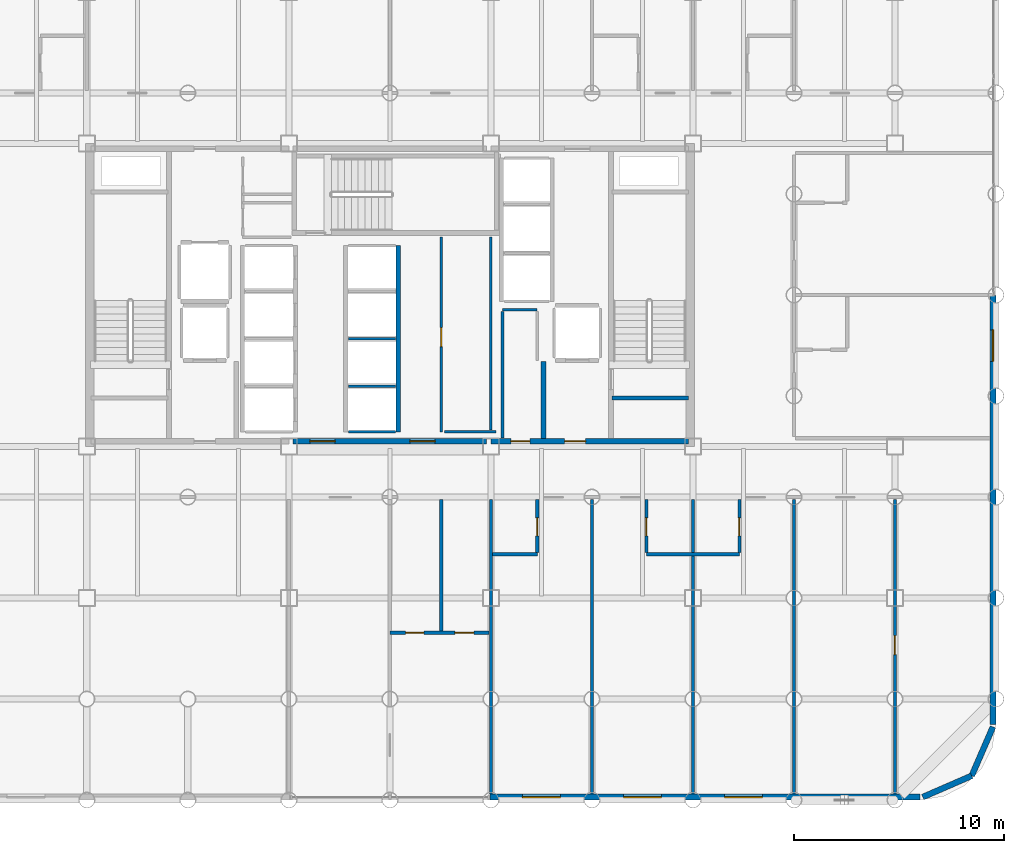
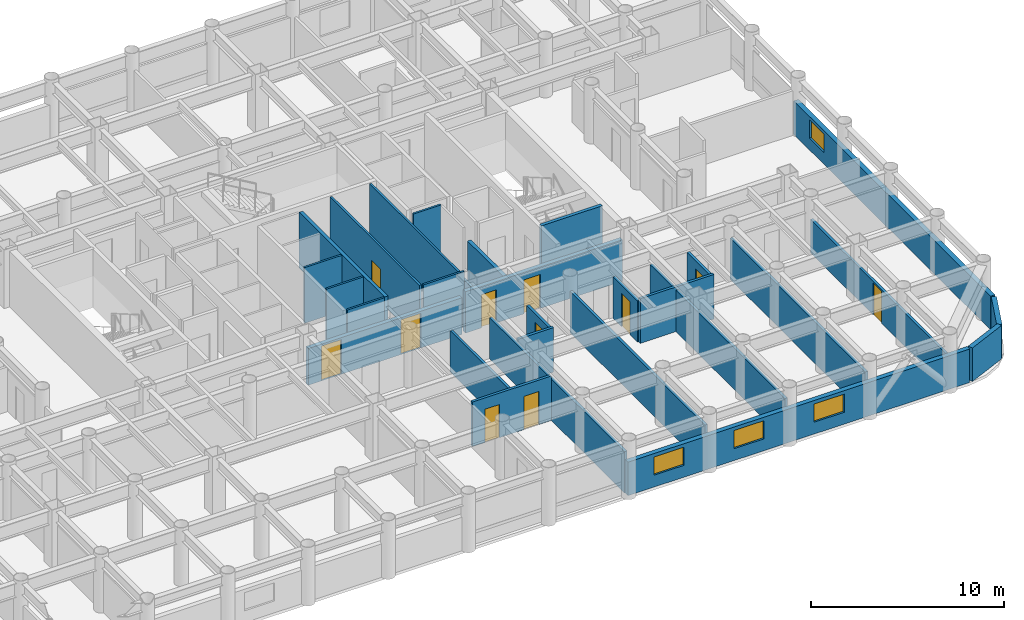
# One storey, part 17 of 21: 29 walls, 11 doors, 4 windows, 15 openings.
"""IFC4 building model written with IfcOpenShell, lengths in metres."""

from ifc_helpers import new_model, si_unit, direction, frame, frame_2d, origin, place, context, subcontext, project, spatial, rectangle, extrude, material, layer, layer_set, type_object, element, fill, save


model = new_model("IFC4")

# Units and contexts
model_context = context("Model", 3, precision=1e-05, world=origin(), true_north=direction((0.0, 1.0)))
body_context = subcontext(model_context, "Body", "Model", "MODEL_VIEW")
ifc_project = project(units=[si_unit("LENGTHUNIT", "METRE"), si_unit("AREAUNIT", "SQUARE_METRE"), si_unit("VOLUMEUNIT", "CUBIC_METRE"), si_unit("PLANEANGLEUNIT", "RADIAN"), si_unit("MASSUNIT", "GRAM", prefix="KILO")], contexts=[model_context])

# Site, building, storey
site_placement = place(None, origin())
site = spatial("IfcSite", under=ifc_project, at=site_placement, CompositionType="ELEMENT")
building_placement = place(site_placement, origin())
building = spatial("IfcBuilding", under=site, at=building_placement, Name="Kallvorn Hotel Tower", CompositionType="ELEMENT")
storey_placement = place(building_placement, frame((0.0, 0.0, 41.10009765625)))
storey = spatial("IfcBuildingStorey", under=building, at=storey_placement, Name="L08", CompositionType="ELEMENT", Elevation=41.10009765625)

# Wall, openings, doors
ifc_material_1 = material(Name="Fire-rated double-layer acoustic gypsum drywall EI 60")
ifc_layer_1 = layer(ifc_material_1, 0.159912109375)
ifc_layer_set_1 = layer_set([ifc_layer_1], Name="WL_DEMISE_160")
wall_type_1 = type_object("IfcWallType", Name="WL_DEMISE_160", PredefinedType="PARTITIONING", material=ifc_layer_set_1)
wall_1_placement = place(storey_placement, frame((0.0, -16.050048828125, 0.0), z_axis=(0.0, 0.0, 1.0), x_axis=(1.0, 0.0, 0.0)))
wall_1 = element("IfcWall", 1, at=wall_1_placement, inside=storey, type_object=wall_type_1, Name="L08 Suite 803 Executive Bedroom Partition", PredefinedType="PARTITIONING", context=body_context, shape_type="SweptSolid", body=[
    extrude(rectangle(XDim=4.719970703125, YDim=0.159912109375, at=frame_2d((2.35986328125, 0.0))), origin(), (0.0, 0.0, 1.0), 2.81982421875),
])
opening_1_placement = place(wall_1_placement, frame((0.75, 0.0, 0.0)))
opening_1 = element("IfcOpeningElement", 2, at=opening_1_placement, cuts=wall_1, Name="Opening BD-I", PredefinedType="OPENING", context=body_context, shape_type="SweptSolid", body=[
    extrude(rectangle(XDim=0.860107421875, YDim=2.10009765625, at=frame_2d((0.43017578125, 1.050048828125))), frame((0.0, 0.094970703125, 0.0), z_axis=(0.0, -1.0, 0.0), x_axis=(1.0, 0.0, 0.0)), (0.0, 0.0, 1.0), 0.18994140625),
])
opening_2_placement = place(wall_1_placement, frame((3.090087890625, 0.0, 0.0)))
opening_2 = element("IfcOpeningElement", 3, at=opening_2_placement, cuts=wall_1, Name="Opening SVD1", PredefinedType="OPENING", context=body_context, shape_type="SweptSolid", body=[
    extrude(rectangle(XDim=0.89990234375, YDim=2.10009765625, at=frame_2d((0.449951171875, 1.050048828125))), frame((0.0, 0.094970703125, 0.0), z_axis=(0.0, -1.0, 0.0), x_axis=(1.0, 0.0, 0.0)), (0.0, 0.0, 1.0), 0.18994140625),
])
ifc_material_2 = material(Name="Solid-core walnut veneer fire-rated timber door leaf", Category="wood")
door_type_1 = type_object("IfcDoorType", Name="DR_BATH_860x2100", OperationType="NOTDEFINED", PredefinedType="DOOR", material=ifc_material_2)
door_1_placement = place(opening_1_placement, origin())
door_1 = element("IfcDoor", 4, at=door_1_placement, inside=storey, type_object=door_type_1, Name="L08 Suite 803 En-Suite Bathroom Door", OperationType="SINGLE_SWING_LEFT", OverallHeight=2.10009765625, OverallWidth=0.860107421875, PredefinedType="DOOR", context=body_context, shape_type="SweptSolid", body=[
    extrude(rectangle(XDim=0.860107421875, YDim=2.10009765625, at=frame_2d((0.43017578125, 1.050048828125))), frame((0.0, 0.02490234375, 0.0), z_axis=(0.0, -1.0, 0.0), x_axis=(1.0, 0.0, 0.0)), (0.0, 0.0, 1.0), 0.050048828125),
])
fill(opening_1, door_1)
ifc_material_3 = material(Name="Galvanised painted steel fire-rated door assembly", Category="steel")
door_type_2 = type_object("IfcDoorType", Name="DR_SERV_900x2100", OperationType="NOTDEFINED", PredefinedType="DOOR", material=ifc_material_3)
door_2_placement = place(opening_2_placement, origin())
door_2 = element("IfcDoor", 5, at=door_2_placement, inside=storey, type_object=door_type_2, Name="L08 Suite 803 Walk-In Dressing Closet Door", OperationType="SINGLE_SWING_RIGHT", OverallHeight=2.10009765625, OverallWidth=0.89990234375, PredefinedType="DOOR", context=body_context, shape_type="SweptSolid", body=[
    extrude(rectangle(XDim=0.89990234375, YDim=2.10009765625, at=frame_2d((0.449951171875, 1.050048828125))), frame((0.0, 0.02490234375, 0.0), z_axis=(0.0, -1.0, 0.0), x_axis=(1.0, 0.0, 0.0)), (0.0, 0.0, 1.0), 0.050048828125),
])
fill(opening_2, door_2)

# Walls
wall_2_placement = place(storey_placement, frame((4.8798828125, -12.320068359375, 0.0), z_axis=(0.0, 0.0, 1.0), x_axis=(1.0, 0.0, 0.0)))
element("IfcWall", 6, at=wall_2_placement, inside=storey, type_object=wall_type_1, Name="L08 Suite 804 Superior Twin Room Partition", PredefinedType="PARTITIONING", context=body_context, shape_type="SweptSolid", body=[
    extrude(rectangle(XDim=2.130126953125, YDim=0.159912109375, at=frame_2d((1.06494140625, 0.0))), origin(), (0.0, 0.0, 1.0), 2.81982421875),
])
wall_3_placement = place(storey_placement, frame((12.18994140625, -12.320068359375, 0.0), z_axis=(0.0, 0.0, 1.0), x_axis=(1.0, 0.0, 0.0)))
element("IfcWall", 7, at=wall_3_placement, inside=storey, type_object=wall_type_1, Name="L08 Suite 805 Superior Twin Room Partition", PredefinedType="PARTITIONING", context=body_context, shape_type="SweptSolid", body=[
    extrude(rectangle(XDim=4.420166015625, YDim=0.159912109375, at=frame_2d((2.2099609375, 0.0))), origin(), (0.0, 0.0, 1.0), 2.81982421875),
])
wall_4_placement = place(storey_placement, frame((4.800048828125, -23.7099609375, 0.0), z_axis=(0.0, 0.0, 1.0), x_axis=(0.0, 1.0, 0.0)))
element("IfcWall", 8, at=wall_4_placement, inside=storey, type_object=wall_type_1, Name="L08 Suite 803 Executive Bedroom Partition", PredefinedType="PARTITIONING", context=body_context, shape_type="SweptSolid", body=[
    extrude(rectangle(XDim=13.989990234375, YDim=0.159912109375, at=frame_2d((6.9951171875, 0.0))), origin(), (0.0, 0.0, 1.0), 2.619873046875),
])

# Wall, opening, door
wall_5_placement = place(storey_placement, frame((7.006591796875, -12.235107421875, 0.0), z_axis=(0.0, 0.0, 1.0), x_axis=(0.0, 1.0, 0.0)))
wall_5 = element("IfcWall", 9, at=wall_5_placement, inside=storey, type_object=wall_type_1, Name="L08 Suite 804 Superior Twin Room Partition", PredefinedType="PARTITIONING", context=body_context, shape_type="SweptSolid", body=[
    extrude(rectangle(XDim=2.51513671875, YDim=0.159912109375, at=frame_2d((1.257568359375, 0.0))), origin(), (0.0, 0.0, 1.0), 2.619873046875),
])
opening_3_placement = place(wall_5_placement, frame((0.784912109375, 0.0, 0.0)))
opening_3 = element("IfcOpeningElement", 10, at=opening_3_placement, cuts=wall_5, Name="Opening BD-I", PredefinedType="OPENING", context=body_context, shape_type="SweptSolid", body=[
    extrude(rectangle(XDim=0.860107421875, YDim=2.10009765625, at=frame_2d((0.43017578125, 1.050048828125))), frame((0.0, 0.094970703125, 0.0), z_axis=(0.0, -1.0, 0.0), x_axis=(1.0, 0.0, 0.0)), (0.0, 0.0, 1.0), 0.18994140625),
])
door_3_placement = place(opening_3_placement, origin())
door_3 = element("IfcDoor", 11, at=door_3_placement, inside=storey, type_object=door_type_1, Name="L08 Suite 804 En-Suite Bathroom Door", OperationType="SINGLE_SWING_RIGHT", OverallHeight=2.10009765625, OverallWidth=0.860107421875, PredefinedType="DOOR", context=body_context, shape_type="SweptSolid", body=[
    extrude(rectangle(XDim=0.860107421875, YDim=2.10009765625, at=frame_2d((0.43017578125, 1.050048828125))), frame((0.0, 0.02490234375, 0.0), z_axis=(0.0, -1.0, 0.0), x_axis=(1.0, 0.0, 0.0)), (0.0, 0.0, 1.0), 0.050048828125),
])
fill(opening_3, door_3)

# Wall
wall_6_placement = place(storey_placement, frame((9.60009765625, -23.7099609375, 0.0), z_axis=(0.0, 0.0, 1.0), x_axis=(0.0, 1.0, 0.0)))
element("IfcWall", 12, at=wall_6_placement, inside=storey, type_object=wall_type_1, Name="L08 Suite 804 Superior Twin Room Partition", PredefinedType="PARTITIONING", context=body_context, shape_type="SweptSolid", body=[
    extrude(rectangle(XDim=13.989990234375, YDim=0.159912109375, at=frame_2d((6.9951171875, 0.0))), origin(), (0.0, 0.0, 1.0), 2.619873046875),
])

# Wall, opening, door
wall_7_placement = place(storey_placement, frame((12.18994140625, -12.235107421875, 0.0), z_axis=(0.0, 0.0, 1.0), x_axis=(0.0, 1.0, 0.0)))
wall_7 = element("IfcWall", 13, at=wall_7_placement, inside=storey, type_object=wall_type_1, Name="L08 Suite 805 Superior Twin Room Partition", PredefinedType="PARTITIONING", context=body_context, shape_type="SweptSolid", body=[
    extrude(rectangle(XDim=2.51513671875, YDim=0.159912109375, at=frame_2d((1.257568359375, 0.0))), origin(), (0.0, 0.0, 1.0), 2.619873046875),
])
opening_4_placement = place(wall_7_placement, frame((0.784912109375, 0.0, 0.0)))
opening_4 = element("IfcOpeningElement", 14, at=opening_4_placement, cuts=wall_7, Name="Opening BD-I", PredefinedType="OPENING", context=body_context, shape_type="SweptSolid", body=[
    extrude(rectangle(XDim=0.860107421875, YDim=2.10009765625, at=frame_2d((0.43017578125, 1.050048828125))), frame((0.0, 0.094970703125, 0.0), z_axis=(0.0, -1.0, 0.0), x_axis=(1.0, 0.0, 0.0)), (0.0, 0.0, 1.0), 0.18994140625),
])
door_4_placement = place(opening_4_placement, origin())
door_4 = element("IfcDoor", 15, at=door_4_placement, inside=storey, type_object=door_type_1, Name="L08 Suite 805 En-Suite Bathroom Door", OperationType="SINGLE_SWING_LEFT", OverallHeight=2.10009765625, OverallWidth=0.860107421875, PredefinedType="DOOR", context=body_context, shape_type="SweptSolid", body=[
    extrude(rectangle(XDim=0.860107421875, YDim=2.10009765625, at=frame_2d((0.43017578125, 1.050048828125))), frame((0.0, 0.02490234375, 0.0), z_axis=(0.0, -1.0, 0.0), x_axis=(1.0, 0.0, 0.0)), (0.0, 0.0, 1.0), 0.050048828125),
])
fill(opening_4, door_4)

# Wall
wall_8_placement = place(storey_placement, frame((14.39990234375, -23.7099609375, 0.0), z_axis=(0.0, 0.0, 1.0), x_axis=(0.0, 1.0, 0.0)))
element("IfcWall", 16, at=wall_8_placement, inside=storey, type_object=wall_type_1, Name="L08 Suite 805 Superior Twin Room Partition", PredefinedType="PARTITIONING", context=body_context, shape_type="SweptSolid", body=[
    extrude(rectangle(XDim=13.989990234375, YDim=0.159912109375, at=frame_2d((6.9951171875, 0.0))), origin(), (0.0, 0.0, 1.0), 2.619873046875),
])

# Wall, opening, door
wall_9_placement = place(storey_placement, frame((16.610107421875, -12.235107421875, 0.0), z_axis=(0.0, 0.0, 1.0), x_axis=(0.0, 1.0, 0.0)))
wall_9 = element("IfcWall", 17, at=wall_9_placement, inside=storey, type_object=wall_type_1, Name="L08 Suite 806 Superior Twin Room Partition", PredefinedType="PARTITIONING", context=body_context, shape_type="SweptSolid", body=[
    extrude(rectangle(XDim=2.51513671875, YDim=0.159912109375, at=frame_2d((1.257568359375, 0.0))), origin(), (0.0, 0.0, 1.0), 2.619873046875),
])
opening_5_placement = place(wall_9_placement, frame((0.784912109375, 0.0, 0.0)))
opening_5 = element("IfcOpeningElement", 18, at=opening_5_placement, cuts=wall_9, Name="Opening BD-I", PredefinedType="OPENING", context=body_context, shape_type="SweptSolid", body=[
    extrude(rectangle(XDim=0.860107421875, YDim=2.10009765625, at=frame_2d((0.43017578125, 1.050048828125))), frame((0.0, 0.094970703125, 0.0), z_axis=(0.0, -1.0, 0.0), x_axis=(1.0, 0.0, 0.0)), (0.0, 0.0, 1.0), 0.18994140625),
])
door_5_placement = place(opening_5_placement, origin())
door_5 = element("IfcDoor", 19, at=door_5_placement, inside=storey, type_object=door_type_1, Name="L08 Suite 806 En-Suite Bathroom Door", OperationType="SINGLE_SWING_LEFT", OverallHeight=2.10009765625, OverallWidth=0.860107421875, PredefinedType="DOOR", context=body_context, shape_type="SweptSolid", body=[
    extrude(rectangle(XDim=0.860107421875, YDim=2.10009765625, at=frame_2d((0.43017578125, 1.050048828125))), frame((0.0, 0.02490234375, 0.0), z_axis=(0.0, -1.0, 0.0), x_axis=(1.0, 0.0, 0.0)), (0.0, 0.0, 1.0), 0.050048828125),
])
fill(opening_5, door_5)

# Walls
wall_10_placement = place(storey_placement, frame((19.199951171875, -23.7099609375, 0.0), z_axis=(0.0, 0.0, 1.0), x_axis=(0.0, 1.0, 0.0)))
element("IfcWall", 20, at=wall_10_placement, inside=storey, type_object=wall_type_1, Name="L08 Suite 806 Superior Twin Room Partition", PredefinedType="PARTITIONING", context=body_context, shape_type="SweptSolid", body=[
    extrude(rectangle(XDim=13.989990234375, YDim=0.159912109375, at=frame_2d((6.9951171875, 0.0))), origin(), (0.0, 0.0, 1.0), 2.619873046875),
])
ifc_material_4 = material(Name="Precast basalt-clad insulated concrete wall C40/50", Category="masonry")
ifc_layer_2 = layer(ifc_material_4, 0.280029296875)
ifc_layer_set_2 = layer_set([ifc_layer_2], Name="WL_EXT_LOGGIA_280")
wall_type_2 = type_object("IfcWallType", Name="WL_EXT_LOGGIA_280", PredefinedType="SOLIDWALL", material=ifc_layer_set_2)
wall_11_placement = place(storey_placement, frame((25.32080078125, -23.85791015625, 0.0), z_axis=(0.0, 0.0, 1.0), x_axis=(0.917060872934, 0.398747232384, 0.0)))
element("IfcWall", 21, at=wall_11_placement, inside=storey, type_object=wall_type_2, Name="L08 Rounded Corner Exterior Wall SE1", PredefinedType="SOLIDWALL", context=body_context, shape_type="SweptSolid", body=[
    extrude(rectangle(XDim=2.5361328125, YDim=0.280029296875, at=frame_2d((1.26806640625, 0.0))), origin(), (0.0, 0.0, 1.0), 2.119873046875),
])
wall_12_placement = place(storey_placement, frame((27.646484375, -22.8466796875, 0.0), z_axis=(0.0, 0.0, 1.0), x_axis=(0.398792985289, 0.917040977756, 0.0)))
element("IfcWall", 22, at=wall_12_placement, inside=storey, type_object=wall_type_2, Name="L08 Rounded Corner Exterior Wall SE2", PredefinedType="SOLIDWALL", context=body_context, shape_type="SweptSolid", body=[
    extrude(rectangle(XDim=2.536376953125, YDim=0.280029296875, at=frame_2d((1.26806640625, 0.0))), origin(), (0.0, 0.0, 1.0), 2.119873046875),
])

# Wall, openings, windows
wall_13_placement = place(storey_placement, frame((4.75, -23.860107421875, 0.0), z_axis=(0.0, 0.0, 1.0), x_axis=(1.0, 0.0, 0.0)))
wall_13 = element("IfcWall", 23, at=wall_13_placement, inside=storey, type_object=wall_type_2, Name="L08 Exterior Envelope Wall EW-L08-SE", PredefinedType="SOLIDWALL", context=body_context, shape_type="SweptSolid", body=[
    extrude(rectangle(XDim=20.449951171875, YDim=0.280029296875, at=frame_2d((10.22509765625, 0.0))), origin(), (0.0, 0.0, 1.0), 2.119873046875),
])
opening_6_placement = place(wall_13_placement, frame((1.550048828125, 0.0, 0.75)))
opening_6 = element("IfcOpeningElement", 24, at=opening_6_placement, cuts=wall_13, Name="Opening W04A", PredefinedType="OPENING", context=body_context, shape_type="SweptSolid", body=[
    extrude(rectangle(XDim=1.800048828125, YDim=1.14990234375, at=frame_2d((0.89990234375, 0.574951171875))), frame((0.0, 0.155029296875, 0.0), z_axis=(0.0, -1.0, 0.0), x_axis=(1.0, 0.0, 0.0)), (0.0, 0.0, 1.0), 0.31005859375),
])
opening_7_placement = place(wall_13_placement, frame((6.35009765625, 0.0, 0.75)))
opening_7 = element("IfcOpeningElement", 25, at=opening_7_placement, cuts=wall_13, Name="Opening W04A", PredefinedType="OPENING", context=body_context, shape_type="SweptSolid", body=[
    extrude(rectangle(XDim=1.800048828125, YDim=1.14990234375, at=frame_2d((0.89990234375, 0.574951171875))), frame((0.0, 0.155029296875, 0.0), z_axis=(0.0, -1.0, 0.0), x_axis=(1.0, 0.0, 0.0)), (0.0, 0.0, 1.0), 0.31005859375),
])
opening_8_placement = place(wall_13_placement, frame((11.14990234375, 0.0, 0.75)))
opening_8 = element("IfcOpeningElement", 26, at=opening_8_placement, cuts=wall_13, Name="Opening W04A", PredefinedType="OPENING", context=body_context, shape_type="SweptSolid", body=[
    extrude(rectangle(XDim=1.800048828125, YDim=1.14990234375, at=frame_2d((0.89990234375, 0.574951171875))), frame((0.0, 0.155029296875, 0.0), z_axis=(0.0, -1.0, 0.0), x_axis=(1.0, 0.0, 0.0)), (0.0, 0.0, 1.0), 0.31005859375),
])
ifc_material_5 = material(Name="Double-glazed low-e solar-control dark glass", Category="glass")
window_type_1 = type_object("IfcWindowType", Name="WN_HTL_1800x1150", PartitioningType="SINGLE_PANEL", PredefinedType="WINDOW", material=ifc_material_5)
window_1_placement = place(opening_6_placement, origin())
window_1 = element("IfcWindow", 27, at=window_1_placement, inside=storey, type_object=window_type_1, Name="L08 Guestroom Exterior Window 03", OverallHeight=1.14990234375, OverallWidth=1.800048828125, PartitioningType="SINGLE_PANEL", PredefinedType="WINDOW", context=body_context, shape_type="SweptSolid", body=[
    extrude(rectangle(XDim=1.800048828125, YDim=1.14990234375, at=frame_2d((0.89990234375, 0.574951171875))), frame((0.0, 0.030029296875, 0.0), z_axis=(0.0, -1.0, 0.0), x_axis=(1.0, 0.0, 0.0)), (0.0, 0.0, 1.0), 0.06005859375),
])
fill(opening_6, window_1)
window_2_placement = place(opening_7_placement, origin())
window_2 = element("IfcWindow", 28, at=window_2_placement, inside=storey, type_object=window_type_1, Name="L08 Guestroom Exterior Window 04", OverallHeight=1.14990234375, OverallWidth=1.800048828125, PartitioningType="SINGLE_PANEL", PredefinedType="WINDOW", context=body_context, shape_type="SweptSolid", body=[
    extrude(rectangle(XDim=1.800048828125, YDim=1.14990234375, at=frame_2d((0.89990234375, 0.574951171875))), frame((0.0, 0.030029296875, 0.0), z_axis=(0.0, -1.0, 0.0), x_axis=(1.0, 0.0, 0.0)), (0.0, 0.0, 1.0), 0.06005859375),
])
fill(opening_7, window_2)
window_3_placement = place(opening_8_placement, origin())
window_3 = element("IfcWindow", 29, at=window_3_placement, inside=storey, type_object=window_type_1, Name="L08 Guestroom Exterior Window 05", OverallHeight=1.14990234375, OverallWidth=1.800048828125, PartitioningType="SINGLE_PANEL", PredefinedType="WINDOW", context=body_context, shape_type="SweptSolid", body=[
    extrude(rectangle(XDim=1.800048828125, YDim=1.14990234375, at=frame_2d((0.89990234375, 0.574951171875))), frame((0.0, 0.030029296875, 0.0), z_axis=(0.0, -1.0, 0.0), x_axis=(1.0, 0.0, 0.0)), (0.0, 0.0, 1.0), 0.06005859375),
])
fill(opening_8, window_3)

# Wall, opening, window
wall_14_placement = place(storey_placement, frame((28.659912109375, -20.39990234375, 0.0), z_axis=(0.0, 0.0, 1.0), x_axis=(0.0, 1.0, 0.0)))
wall_14 = element("IfcWall", 30, at=wall_14_placement, inside=storey, type_object=wall_type_2, Name="L08 Exterior Envelope Wall EW-L08-ES", PredefinedType="SOLIDWALL", context=body_context, shape_type="SweptSolid", body=[
    extrude(rectangle(XDim=20.3798828125, YDim=0.280029296875, at=frame_2d((10.18994140625, 0.0))), origin(), (0.0, 0.0, 1.0), 2.119873046875),
])
opening_9_placement = place(wall_14_placement, frame((17.25, 0.0, 0.75)))
opening_9 = element("IfcOpeningElement", 31, at=opening_9_placement, cuts=wall_14, Name="Opening W05A", PredefinedType="OPENING", context=body_context, shape_type="SweptSolid", body=[
    extrude(rectangle(XDim=1.5, YDim=1.14990234375, at=frame_2d((0.75, 0.574951171875))), frame((0.0, 0.155029296875, 0.0), z_axis=(0.0, -1.0, 0.0), x_axis=(1.0, 0.0, 0.0)), (0.0, 0.0, 1.0), 0.31005859375),
])
ifc_material_6 = material(Name="Double-glazed low-e solar-control dark glass", Category="glass")
window_type_2 = type_object("IfcWindowType", Name="WN_HTL_1500x1150", PartitioningType="SINGLE_PANEL", PredefinedType="WINDOW", material=ifc_material_6)
window_4_placement = place(opening_9_placement, origin())
window_4 = element("IfcWindow", 32, at=window_4_placement, inside=storey, type_object=window_type_2, Name="L08 Flank Wing Window 01", OverallHeight=1.14990234375, OverallWidth=1.5, PartitioningType="SINGLE_PANEL", PredefinedType="WINDOW", context=body_context, shape_type="SweptSolid", body=[
    extrude(rectangle(XDim=1.5, YDim=1.14990234375, at=frame_2d((0.75, 0.574951171875))), frame((0.0, 0.030029296875, 0.0), z_axis=(0.0, -1.0, 0.0), x_axis=(1.0, 0.0, 0.0)), (0.0, 0.0, 1.0), 0.06005859375),
])
fill(opening_9, window_4)

# Walls
ifc_material_7 = material(Name="Concrete C40/50", Category="concrete")
ifc_layer_3 = layer(ifc_material_7, 0.219970703125)
ifc_layer_set_3 = layer_set([ifc_layer_3], Name="WL_FFL_220")
wall_type_3 = type_object("IfcWallType", Name="WL_FFL_220", PredefinedType="SOLIDWALL", material=ifc_layer_set_3)
wall_15_placement = place(storey_placement, frame((7.300048828125, -6.820068359375, 0.0), z_axis=(0.0, 0.0, 1.0), x_axis=(0.0, 1.0, 0.0)))
element("IfcWall", 33, at=wall_15_placement, inside=storey, type_object=wall_type_3, Name="L08 Firefighting Lobby East Divider Wall", PredefinedType="SOLIDWALL", context=body_context, shape_type="SweptSolid", body=[
    extrude(rectangle(XDim=3.670166015625, YDim=0.219970703125, at=frame_2d((1.8349609375, 0.0))), origin(), (0.0, 0.0, 1.0), 2.619873046875),
])
ifc_material_8 = material(Name="Concrete C40/50", Category="concrete")
ifc_layer_4 = layer(ifc_material_8, 0.199951171875)
ifc_layer_set_4 = layer_set([ifc_layer_4], Name="WL_HOIST_200")
wall_type_4 = type_object("IfcWallType", Name="WL_HOIST_200", PredefinedType="SOLIDWALL", material=ifc_layer_set_4)
wall_16_placement = place(storey_placement, frame((10.550048828125, -4.89990234375, -0.18017578125), z_axis=(0.0, 0.0, 1.0), x_axis=(1.0, 0.0, 0.0)))
element("IfcWall", 34, at=wall_16_placement, inside=storey, type_object=wall_type_4, Name="L08 Stair ST2 South Wall", PredefinedType="SOLIDWALL", context=body_context, shape_type="SweptSolid", body=[
    extrude(rectangle(XDim=3.64990234375, YDim=0.199951171875, at=frame_2d((1.824951171875, 0.0))), origin(), (0.0, 0.0, 1.0), 3.7001953125),
])
wall_17_placement = place(storey_placement, frame((0.39990234375, -6.5, 0.0), z_axis=(0.0, 0.0, 1.0), x_axis=(0.0, 1.0, 0.0)))
element("IfcWall", 35, at=wall_17_placement, inside=storey, type_object=wall_type_4, Name="L08 Lift Bank B2 Rear Shaft Wall", PredefinedType="SOLIDWALL", context=body_context, shape_type="SweptSolid", body=[
    extrude(rectangle(XDim=8.85009765625, YDim=0.199951171875, at=frame_2d((4.425048828125, 0.0))), origin(), (0.0, 0.0, 1.0), 3.52001953125),
])
ifc_material_9 = material(Name="Fire-rated double-layer acoustic gypsum drywall EI 60")
ifc_layer_5 = layer(ifc_material_9, 0.1201171875)
ifc_layer_set_5 = layer_set([ifc_layer_5], Name="WL_INT_120")
wall_type_5 = type_object("IfcWallType", Name="WL_INT_120", PredefinedType="PARTITIONING", material=ifc_layer_set_5)
for number, where, z_axis, x_axis, name in (
    (36, (-1.9599609375, -6.5, 0.0), (0.0, 0.0, 1.0), (1.0, 0.0, 0.0), "L08 Lift Bank B2 South Closure Wall"),
    (37, (-1.9599609375, -4.324951171875, 0.0), (0.0, 0.0, 1.0), (1.0, 0.0, 0.0), "L08 PL-05 Hoistway Divider"),
    (38, (-1.9599609375, -2.074951171875, 0.0), (0.0, 0.0, 1.0), (1.0, 0.0, 0.0), "L08 PL-06 Hoistway Divider"),
):
    element("IfcWall", number, at=place(storey_placement, frame(where, z_axis=z_axis, x_axis=x_axis)), inside=storey, type_object=wall_type_5, Name=name, PredefinedType="PARTITIONING", context=body_context, shape_type="SweptSolid", body=[
        extrude(rectangle(XDim=2.219970703125, YDim=0.1201171875, at=frame_2d((1.10986328125, 0.0))), origin(), (0.0, 0.0, 1.0), 3.52001953125),
    ])
wall_18_placement = place(storey_placement, frame((2.60009765625, -6.5, 0.0), z_axis=(0.0, 0.0, 1.0), x_axis=(1.0, 0.0, 0.0)))
element("IfcWall", 39, at=wall_18_placement, inside=storey, type_object=wall_type_5, Name="L08 East Core Consolidated Linen and Supply Store Partition", PredefinedType="PARTITIONING", context=body_context, shape_type="SweptSolid", body=[
    extrude(rectangle(XDim=2.449951171875, YDim=0.1201171875, at=frame_2d((1.22509765625, 0.0))), origin(), (0.0, 0.0, 1.0), 3.52001953125),
])
wall_19_placement = place(storey_placement, frame((5.35009765625, -0.699951171875, 0.0), z_axis=(0.0, 0.0, 1.0), x_axis=(1.0, 0.0, 0.0)))
element("IfcWall", 40, at=wall_19_placement, inside=storey, type_object=wall_type_5, Name="L08 Core Utility and Meter Room Partition", PredefinedType="PARTITIONING", context=body_context, shape_type="SweptSolid", body=[
    extrude(rectangle(XDim=1.64990234375, YDim=0.1201171875, at=frame_2d((0.824951171875, 0.0))), origin(), (0.0, 0.0, 1.0), 3.52001953125),
])

# Wall, opening, door
wall_20_placement = place(storey_placement, frame((2.43994140625, -6.5, 0.0), z_axis=(0.0, 0.0, 1.0), x_axis=(0.0, 1.0, 0.0)))
wall_20 = element("IfcWall", 41, at=wall_20_placement, inside=storey, type_object=wall_type_5, Name="L08 East Core Consolidated Linen and Supply Store Partition", PredefinedType="PARTITIONING", context=body_context, shape_type="SweptSolid", body=[
    extrude(rectangle(XDim=9.25, YDim=0.1201171875, at=frame_2d((4.625, 0.0))), origin(), (0.0, 0.0, 1.0), 3.52001953125),
])
opening_10_placement = place(wall_20_placement, frame((4.050048828125, 0.0, 0.0)))
opening_10 = element("IfcOpeningElement", 42, at=opening_10_placement, cuts=wall_20, Name="Opening SVD1", PredefinedType="OPENING", context=body_context, shape_type="SweptSolid", body=[
    extrude(rectangle(XDim=0.89990234375, YDim=2.10009765625, at=frame_2d((0.449951171875, 1.050048828125))), frame((0.0, 0.074951171875, 0.0), z_axis=(0.0, -1.0, 0.0), x_axis=(1.0, 0.0, 0.0)), (0.0, 0.0, 1.0), 0.150146484375),
])
door_6_placement = place(opening_10_placement, origin())
door_6 = element("IfcDoor", 43, at=door_6_placement, inside=storey, type_object=door_type_2, Name="L08 East Core Consolidated Linen and Supply Store Door", OperationType="SINGLE_SWING_RIGHT", OverallHeight=2.10009765625, OverallWidth=0.89990234375, PredefinedType="DOOR", context=body_context, shape_type="SweptSolid", body=[
    extrude(rectangle(XDim=0.89990234375, YDim=2.10009765625, at=frame_2d((0.449951171875, 1.050048828125))), frame((0.0, 0.02490234375, 0.0), z_axis=(0.0, -1.0, 0.0), x_axis=(1.0, 0.0, 0.0)), (0.0, 0.0, 1.0), 0.050048828125),
])
fill(opening_10, door_6)

# Walls
wall_21_placement = place(storey_placement, frame((4.800048828125, -6.4150390625, 0.0), z_axis=(0.0, 0.0, 1.0), x_axis=(0.0, 1.0, 0.0)))
element("IfcWall", 44, at=wall_21_placement, inside=storey, type_object=wall_type_5, Name="L08 East Core Consolidated Linen and Supply Store Partition", PredefinedType="PARTITIONING", context=body_context, shape_type="SweptSolid", body=[
    extrude(rectangle(XDim=9.1650390625, YDim=0.1201171875, at=frame_2d((4.58251953125, 0.0))), origin(), (0.0, 0.0, 1.0), 3.52001953125),
])
wall_22_placement = place(storey_placement, frame((5.35009765625, -6.800048828125, 0.0), z_axis=(0.0, 0.0, 1.0), x_axis=(0.0, 1.0, 0.0)))
element("IfcWall", 45, at=wall_22_placement, inside=storey, type_object=wall_type_5, Name="L08 Core Utility and Meter Room Partition", PredefinedType="PARTITIONING", context=body_context, shape_type="SweptSolid", body=[
    extrude(rectangle(XDim=6.01513671875, YDim=0.1201171875, at=frame_2d((3.007568359375, 0.0))), origin(), (0.0, 0.0, 1.0), 2.619873046875),
])
ifc_material_10 = material(Name="Fire-rated double-layer acoustic gypsum drywall EI 60")
ifc_layer_6 = layer(ifc_material_10, 0.14990234375)
ifc_layer_set_6 = layer_set([ifc_layer_6], Name="WL_PART_150")
wall_type_6 = type_object("IfcWallType", Name="WL_PART_150", PredefinedType="PARTITIONING", material=ifc_layer_set_6)
wall_23_placement = place(storey_placement, frame((2.43994140625, -15.965087890625, 0.0), z_axis=(0.0, 0.0, 1.0), x_axis=(0.0, 1.0, 0.0)))
element("IfcWall", 46, at=wall_23_placement, inside=storey, type_object=wall_type_6, Name="L08 Suite 803 Walk-In Dressing Closet Partition", PredefinedType="PARTITIONING", context=body_context, shape_type="SweptSolid", body=[
    extrude(rectangle(XDim=6.2451171875, YDim=0.14990234375, at=frame_2d((3.12255859375, 0.0))), origin(), (0.0, 0.0, 1.0), 2.619873046875),
])

# Wall, opening, door
wall_24_placement = place(storey_placement, frame((24.0, -23.7099609375, 0.0), z_axis=(0.0, 0.0, 1.0), x_axis=(0.0, 1.0, 0.0)))
wall_24 = element("IfcWall", 47, at=wall_24_placement, inside=storey, type_object=wall_type_6, Name="L08 L08 South-East Sommelier Bar A Partition", PredefinedType="PARTITIONING", context=body_context, shape_type="SweptSolid", body=[
    extrude(rectangle(XDim=13.989990234375, YDim=0.14990234375, at=frame_2d((6.9951171875, 0.0))), origin(), (0.0, 0.0, 1.0), 2.119873046875),
])
opening_11_placement = place(wall_24_placement, frame((6.625, 0.0, 0.0)))
opening_11 = element("IfcOpeningElement", 48, at=opening_11_placement, cuts=wall_24, Name="Opening SVD1A", PredefinedType="OPENING", context=body_context, shape_type="SweptSolid", body=[
    extrude(rectangle(XDim=0.89990234375, YDim=2.02001953125, at=frame_2d((0.449951171875, 1.010009765625))), frame((0.0, 0.08984375, 0.0), z_axis=(0.0, -1.0, 0.0), x_axis=(1.0, 0.0, 0.0)), (0.0, 0.0, 1.0), 0.179931640625),
])
ifc_material_11 = material(Name="Galvanised painted steel fire-rated door assembly", Category="steel")
door_type_3 = type_object("IfcDoorType", Name="DR_SERV_900x2020", OperationType="NOTDEFINED", PredefinedType="DOOR", material=ifc_material_11)
door_7_placement = place(opening_11_placement, origin())
door_7 = element("IfcDoor", 49, at=door_7_placement, inside=storey, type_object=door_type_3, Name="L08 L08 South-East Sommelier Bar B Door", OperationType="SINGLE_SWING_LEFT", OverallHeight=2.02001953125, OverallWidth=0.89990234375, PredefinedType="DOOR", context=body_context, shape_type="SweptSolid", body=[
    extrude(rectangle(XDim=0.89990234375, YDim=2.02001953125, at=frame_2d((0.449951171875, 1.010009765625))), frame((0.0, 0.02490234375, 0.0), z_axis=(0.0, -1.0, 0.0), x_axis=(1.0, 0.0, 0.0)), (0.0, 0.0, 1.0), 0.050048828125),
])
fill(opening_11, door_7)

# Wall, openings, doors
ifc_material_12 = material(Name="Concrete C40/50", Category="concrete")
ifc_layer_7 = layer(ifc_material_12, 0.25)
ifc_layer_set_7 = layer_set([ifc_layer_7], Name="WL_SHAFT_250")
wall_type_7 = type_object("IfcWallType", Name="WL_SHAFT_250", PredefinedType="SOLIDWALL", material=ifc_layer_set_7)
wall_25_placement = place(storey_placement, frame((-4.60009765625, -6.949951171875, 0.0), z_axis=(0.0, 0.0, 1.0), x_axis=(1.0, 0.0, 0.0)))
wall_25 = element("IfcWall", 50, at=wall_25_placement, inside=storey, type_object=wall_type_7, Name="L08 Core South-Central Wall", PredefinedType="SOLIDWALL", context=body_context, shape_type="SweptSolid", body=[
    extrude(rectangle(XDim=9.2001953125, YDim=0.25, at=frame_2d((4.60009765625, 0.0))), origin(), (0.0, 0.0, 1.0), 2.31982421875),
])
opening_12_placement = place(wall_25_placement, frame((0.800048828125, 0.0, 0.0)))
opening_12 = element("IfcOpeningElement", 51, at=opening_12_placement, cuts=wall_25, Name="Opening FD2", PredefinedType="OPENING", context=body_context, shape_type="SweptSolid", body=[
    extrude(rectangle(XDim=1.199951171875, YDim=2.199951171875, at=frame_2d((0.60009765625, 1.10009765625))), frame((0.0, 0.139892578125, 0.0), z_axis=(0.0, -1.0, 0.0), x_axis=(1.0, 0.0, 0.0)), (0.0, 0.0, 1.0), 0.280029296875),
])
opening_13_placement = place(wall_25_placement, frame((5.550048828125, 0.0, 0.0)))
opening_13 = element("IfcOpeningElement", 52, at=opening_13_placement, cuts=wall_25, Name="Opening FD2", PredefinedType="OPENING", context=body_context, shape_type="SweptSolid", body=[
    extrude(rectangle(XDim=1.199951171875, YDim=2.199951171875, at=frame_2d((0.60009765625, 1.10009765625))), frame((0.0, 0.139892578125, 0.0), z_axis=(0.0, -1.0, 0.0), x_axis=(1.0, 0.0, 0.0)), (0.0, 0.0, 1.0), 0.280029296875),
])
ifc_material_13 = material(Name="Galvanised painted steel fire-rated door assembly", Category="steel")
door_type_4 = type_object("IfcDoorType", Name="DR_LOBBY_1200x2200", OperationType="DOUBLE_DOOR_SINGLE_SWING", PredefinedType="DOOR", material=ifc_material_13)
door_8_placement = place(opening_12_placement, origin())
door_8 = element("IfcDoor", 53, at=door_8_placement, inside=storey, type_object=door_type_4, Name="L08 West Passenger Lift Lobby Door", OperationType="DOUBLE_DOOR_SINGLE_SWING", OverallHeight=2.199951171875, OverallWidth=1.199951171875, PredefinedType="DOOR", context=body_context, shape_type="SweptSolid", body=[
    extrude(rectangle(XDim=1.199951171875, YDim=2.199951171875, at=frame_2d((0.60009765625, 1.10009765625))), frame((0.0, 0.02490234375, 0.0), z_axis=(0.0, -1.0, 0.0), x_axis=(1.0, 0.0, 0.0)), (0.0, 0.0, 1.0), 0.050048828125),
])
fill(opening_12, door_8)
door_9_placement = place(opening_13_placement, origin())
door_9 = element("IfcDoor", 54, at=door_9_placement, inside=storey, type_object=door_type_4, Name="L08 East Passenger Lift Lobby Door", OperationType="DOUBLE_DOOR_SINGLE_SWING", OverallHeight=2.199951171875, OverallWidth=1.199951171875, PredefinedType="DOOR", context=body_context, shape_type="SweptSolid", body=[
    extrude(rectangle(XDim=1.199951171875, YDim=2.199951171875, at=frame_2d((0.60009765625, 1.10009765625))), frame((0.0, 0.02490234375, 0.0), z_axis=(0.0, -1.0, 0.0), x_axis=(1.0, 0.0, 0.0)), (0.0, 0.0, 1.0), 0.050048828125),
])
fill(opening_13, door_9)

wall_26_placement = place(storey_placement, frame((4.800048828125, -6.949951171875, 0.0), z_axis=(0.0, 0.0, 1.0), x_axis=(1.0, 0.0, 0.0)))
wall_26 = element("IfcWall", 55, at=wall_26_placement, inside=storey, type_object=wall_type_7, Name="L08 Core South-East Wall", PredefinedType="SOLIDWALL", context=body_context, shape_type="SweptSolid", body=[
    extrude(rectangle(XDim=9.39990234375, YDim=0.25, at=frame_2d((4.699951171875, 0.0))), origin(), (0.0, 0.0, 1.0), 2.619873046875),
])
opening_14_placement = place(wall_26_placement, frame((3.5, 0.0, 0.0)))
opening_14 = element("IfcOpeningElement", 56, at=opening_14_placement, cuts=wall_26, Name="Opening FD1", PredefinedType="OPENING", context=body_context, shape_type="SweptSolid", body=[
    extrude(rectangle(XDim=1.0, YDim=2.14990234375, at=frame_2d((0.5, 1.074951171875))), frame((0.0, 0.139892578125, 0.0), z_axis=(0.0, -1.0, 0.0), x_axis=(1.0, 0.0, 0.0)), (0.0, 0.0, 1.0), 0.280029296875),
])
opening_15_placement = place(wall_26_placement, frame((0.949951171875, 0.0, 0.0)))
opening_15 = element("IfcOpeningElement", 57, at=opening_15_placement, cuts=wall_26, Name="Opening SVD1", PredefinedType="OPENING", context=body_context, shape_type="SweptSolid", body=[
    extrude(rectangle(XDim=0.89990234375, YDim=2.10009765625, at=frame_2d((0.449951171875, 1.050048828125))), frame((0.0, 0.139892578125, 0.0), z_axis=(0.0, -1.0, 0.0), x_axis=(1.0, 0.0, 0.0)), (0.0, 0.0, 1.0), 0.280029296875),
])
ifc_material_14 = material(Name="Galvanised painted steel fire-rated door assembly", Category="steel")
door_type_5 = type_object("IfcDoorType", Name="DR_FFL_1000x2150", OperationType="NOTDEFINED", PredefinedType="DOOR", material=ifc_material_14)
door_10_placement = place(opening_14_placement, origin())
door_10 = element("IfcDoor", 58, at=door_10_placement, inside=storey, type_object=door_type_5, Name="L08 Firefighting Lobby East Door", OperationType="SINGLE_SWING_LEFT", OverallHeight=2.14990234375, OverallWidth=1.0, PredefinedType="DOOR", context=body_context, shape_type="SweptSolid", body=[
    extrude(rectangle(XDim=1.0, YDim=2.14990234375, at=frame_2d((0.5, 1.074951171875))), frame((0.0, 0.02490234375, 0.0), z_axis=(0.0, -1.0, 0.0), x_axis=(1.0, 0.0, 0.0)), (0.0, 0.0, 1.0), 0.050048828125),
])
fill(opening_14, door_10)
door_11_placement = place(opening_15_placement, origin())
door_11 = element("IfcDoor", 59, at=door_11_placement, inside=storey, type_object=door_type_2, Name="L08 Core Utility and Meter Room Door", OperationType="SINGLE_SWING_RIGHT", OverallHeight=2.10009765625, OverallWidth=0.89990234375, PredefinedType="DOOR", context=body_context, shape_type="SweptSolid", body=[
    extrude(rectangle(XDim=0.89990234375, YDim=2.10009765625, at=frame_2d((0.449951171875, 1.050048828125))), frame((0.0, 0.02490234375, 0.0), z_axis=(0.0, -1.0, 0.0), x_axis=(1.0, 0.0, 0.0)), (0.0, 0.0, 1.0), 0.050048828125),
])
fill(opening_15, door_11)

save(model, "model.ifc")
